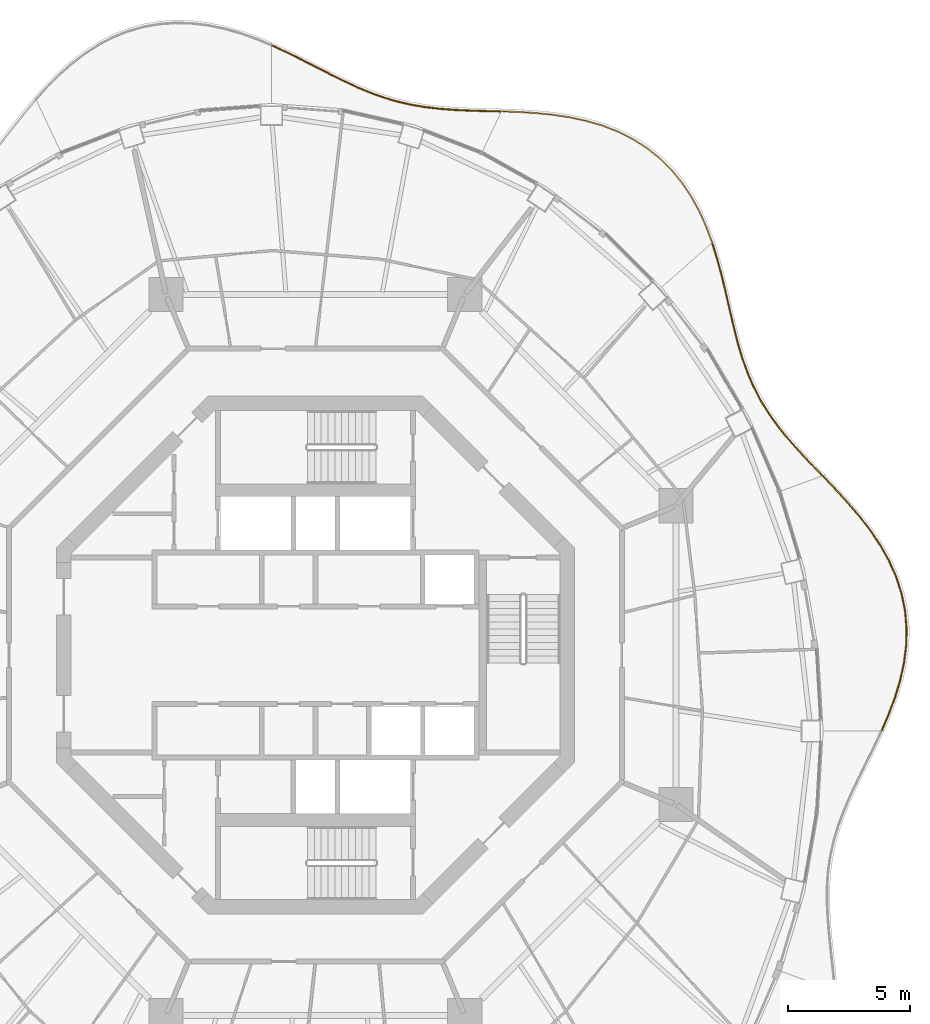
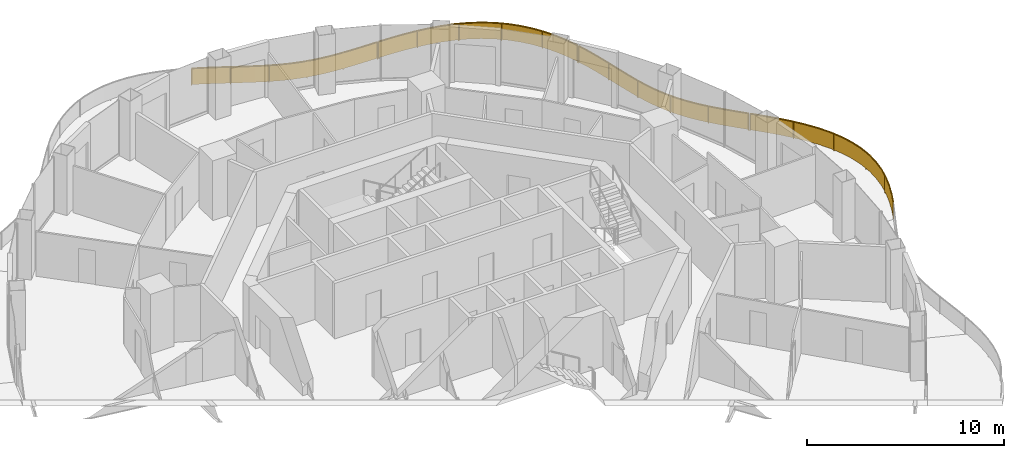
# One storey, part 17 of 17: 4 railings.
"""IFC4 building model written with IfcOpenShell, lengths in metres."""

from ifc_helpers import new_model, si_unit, direction, frame, origin, origin_2d, place, context, subcontext, project, spatial, polyline, rectangle, outline, extrude, material, type_object, element, save


model = new_model("IFC4")

# Units and contexts
model_context = context("Model", 3, precision=1e-05, world=origin(), true_north=direction((0.0, 1.0)))
body_context = subcontext(model_context, "Body", "Model", "MODEL_VIEW")
ifc_project = project(units=[si_unit("LENGTHUNIT", "METRE"), si_unit("AREAUNIT", "SQUARE_METRE"), si_unit("VOLUMEUNIT", "CUBIC_METRE"), si_unit("PLANEANGLEUNIT", "RADIAN"), si_unit("MASSUNIT", "GRAM", prefix="KILO")], contexts=[model_context])

# Site, building, storey
site_placement = place(None, origin())
site = spatial("IfcSite", under=ifc_project, at=site_placement, CompositionType="ELEMENT")
building_placement = place(site_placement, origin())
building = spatial("IfcBuilding", under=site, at=building_placement, Name="Nagisa Residences", CompositionType="ELEMENT")
storey_placement = place(building_placement, frame((0.0, 0.0, 280.699951171875)))
storey = spatial("IfcBuildingStorey", under=building, at=storey_placement, Name="L71", CompositionType="ELEMENT", Elevation=280.699951171875)

# Railings
ifc_material = material(Name="Stainless steel 316", Category="steel")
railing_type = type_object("IfcRailingType", Name="BALCONY GUARD 1100", PredefinedType="BALUSTRADE", material=ifc_material)
railing_1_placement = place(storey_placement, frame((23.22265625, -3.082763671875, 0.0)))
element("IfcRailing", 1, at=railing_1_placement, inside=storey, type_object=railing_type, Name="guard:L71:bal00-0", PredefinedType="BALUSTRADE", context=body_context, shape_type="SweptSolid", body=[
    extrude(outline(polyline([(0.2578125, 0.65576171875), (-0.02294921875, 0.010009765625), (0.02294921875, -0.010009765625), (0.30419921875, 0.63720703125), (0.566650390625, 1.3388671875), (0.78173828125, 2.05029296875), (0.9384765625, 2.7685546875), (1.02734375, 3.489501953125), (1.0439453125, 4.194091796875), (0.98046875, 4.90625), (0.83740234375, 5.6064453125), (0.617431640625, 6.290771484375), (0.32470703125, 6.95556640625), (-0.030029296875, 7.58447265625), (-0.443359375, 8.203125), (-0.900634765625, 8.798095703125), (-1.3896484375, 9.370361328125), (-1.89697265625, 9.92236328125), (-2.380126953125, 10.424560546875), (-2.416259765625, 10.389892578125), (-1.93359375, 9.88818359375), (-1.42724609375, 9.337158203125), (-0.939697265625, 8.766357421875), (-0.48388671875, 8.173828125), (-0.072509765625, 7.55810546875), (0.27978515625, 6.93310546875), (0.570556640625, 6.273193359375), (0.7890625, 5.59375), (0.9306640625, 4.89892578125), (0.99365234375, 4.192626953125), (0.9775390625, 3.492919921875), (0.88916015625, 2.77685546875), (0.7333984375, 2.06298828125), (0.519287109375, 1.35498046875), (0.2578125, 0.65576171875)])), frame((0.0, 0.0, 1.050048828125)), (0.0, 0.0, 1.0), 0.050048828125),
    extrude(outline(polyline([(0.2744140625, 0.649169921875), (-0.00634765625, 0.002685546875), (0.00634765625, -0.002685546875), (0.28759765625, 0.643798828125), (0.549560546875, 1.3447265625), (0.764404296875, 2.054931640625), (0.920654296875, 2.771484375), (1.009521484375, 3.49072265625), (1.02587890625, 4.193603515625), (0.96240234375, 4.903564453125), (0.820068359375, 5.601806640625), (0.6005859375, 6.284423828125), (0.30859375, 6.947509765625), (-0.04541015625, 7.574951171875), (-0.4580078125, 8.192626953125), (-0.914794921875, 8.78662109375), (-1.4033203125, 9.3583984375), (-1.91015625, 9.91015625), (-2.39306640625, 10.412109375), (-2.4033203125, 10.40234375), (-1.92041015625, 9.900390625), (-1.41357421875, 9.34912109375), (-0.925537109375, 8.77783203125), (-0.46923828125, 8.184326171875), (-0.05712890625, 7.567626953125), (0.2958984375, 6.941162109375), (0.58740234375, 6.279541015625), (0.806396484375, 5.598388671875), (0.94873046875, 4.901611328125), (1.01171875, 4.193115234375), (0.995361328125, 3.49169921875), (0.906982421875, 2.77392578125), (0.750732421875, 2.058349609375), (0.536376953125, 1.34912109375), (0.2744140625, 0.649169921875)])), frame((0.0, 0.0, 0.06005859375)), (0.0, 0.0, 1.0), 0.989990234375),
    extrude(rectangle(XDim=0.0400390625, YDim=0.0400390625, at=origin_2d()), origin(), (0.0, 0.0, 1.0), 1.050048828125),
    extrude(rectangle(XDim=0.0400390625, YDim=0.0400390625, at=origin_2d()), frame((0.785400390625, 2.1845703125, 0.0)), (0.0, 0.0, 1.0), 1.050048828125),
    extrude(rectangle(XDim=0.0400390625, YDim=0.0400390625, at=origin_2d()), frame((0.992431640625, 4.489013671875, 0.0)), (0.0, 0.0, 1.0), 1.050048828125),
    extrude(rectangle(XDim=0.0400390625, YDim=0.0400390625, at=origin_2d()), frame((0.39990234375, 6.722900390625, 0.0)), (0.0, 0.0, 1.0), 1.050048828125),
    extrude(rectangle(XDim=0.0400390625, YDim=0.0400390625, at=origin_2d()), frame((-0.84228515625, 8.680908203125, 0.0)), (0.0, 0.0, 1.0), 1.050048828125),
    extrude(rectangle(XDim=0.0400390625, YDim=0.0400390625, at=origin_2d()), frame((-2.398193359375, 10.4072265625, 0.0)), (0.0, 0.0, 1.0), 1.050048828125),
])
railing_2_placement = place(storey_placement, frame((20.7705078125, 7.3779296875, 0.0)))
element("IfcRailing", 2, at=railing_2_placement, inside=storey, type_object=railing_type, Name="guard:L71:bal01-0", PredefinedType="BALUSTRADE", context=body_context, shape_type="SweptSolid", body=[
    extrude(outline(polyline([(-0.47802734375, 0.457275390625), (-0.01806640625, -0.017333984375), (0.01806640625, 0.017333984375), (-0.44189453125, 0.491943359375), (-0.91357421875, 0.993896484375), (-1.359130859375, 1.49560546875), (-1.771240234375, 2.0029296875), (-2.144775390625, 2.52099609375), (-2.470458984375, 3.042236328125), (-2.76220703125, 3.596923828125), (-3.014892578125, 4.17529296875), (-3.233154296875, 4.779296875), (-3.42333984375, 5.409423828125), (-3.5849609375, 6.052001953125), (-3.744873046875, 6.729248046875), (-3.904052734375, 7.423583984375), (-4.0732421875, 8.129150390625), (-4.2626953125, 8.838134765625), (-4.466552734375, 9.49853515625), (-4.514404296875, 9.48388671875), (-4.31103515625, 8.824462890625), (-4.12158203125, 8.116943359375), (-3.952880859375, 7.412353515625), (-3.793701171875, 6.718017578125), (-3.6337890625, 6.040283203125), (-3.4716796875, 5.396240234375), (-3.280517578125, 4.763671875), (-3.061279296875, 4.15673828125), (-2.80712890625, 3.575439453125), (-2.513916015625, 3.017333984375), (-2.186279296875, 2.4931640625), (-1.810791015625, 1.97265625), (-1.397216796875, 1.46337890625), (-0.95068359375, 0.960205078125), (-0.47802734375, 0.457275390625)])), frame((0.0, 0.0, 1.050048828125)), (0.0, 0.0, 1.0), 0.050048828125),
    extrude(outline(polyline([(-0.465087890625, 0.4697265625), (-0.005126953125, -0.0048828125), (0.005126953125, 0.0048828125), (-0.454833984375, 0.4794921875), (-0.927001953125, 0.981689453125), (-1.372802734375, 1.484130859375), (-1.785400390625, 1.991943359375), (-2.15966796875, 2.510986328125), (-2.486083984375, 3.033203125), (-2.7783203125, 3.589111328125), (-3.031494140625, 4.168701171875), (-3.250244140625, 4.773681640625), (-3.440673828125, 5.40478515625), (-3.6025390625, 6.0478515625), (-3.762451171875, 6.72509765625), (-3.921630859375, 7.419677734375), (-4.090576171875, 8.124755859375), (-4.280029296875, 8.833251953125), (-4.48388671875, 9.4931640625), (-4.4970703125, 9.4892578125), (-4.293701171875, 8.829345703125), (-4.104248046875, 8.121337890625), (-3.935302734375, 7.416259765625), (-3.776123046875, 6.72216796875), (-3.6162109375, 6.04443359375), (-3.454345703125, 5.40087890625), (-3.263427734375, 4.769287109375), (-3.044677734375, 4.163330078125), (-2.791015625, 3.583251953125), (-2.498291015625, 3.0263671875), (-2.17138671875, 2.503173828125), (-1.796630859375, 1.983642578125), (-1.383544921875, 1.474853515625), (-0.937255859375, 0.972412109375), (-0.465087890625, 0.4697265625)])), frame((0.0, 0.0, 0.06005859375)), (0.0, 0.0, 1.0), 0.989990234375),
    extrude(rectangle(XDim=0.0400390625, YDim=0.0400390625, at=origin_2d()), origin(), (0.0, 0.0, 1.0), 1.050048828125),
    extrude(rectangle(XDim=0.0400390625, YDim=0.0400390625, at=origin_2d()), frame((-1.454833984375, 1.57373046875, 0.0)), (0.0, 0.0, 1.0), 1.050048828125),
    extrude(rectangle(XDim=0.0400390625, YDim=0.0400390625, at=origin_2d()), frame((-2.65673828125, 3.343017578125, 0.0)), (0.0, 0.0, 1.0), 1.050048828125),
    extrude(rectangle(XDim=0.0400390625, YDim=0.0400390625, at=origin_2d()), frame((-3.42822265625, 5.338623046875, 0.0)), (0.0, 0.0, 1.0), 1.050048828125),
    extrude(rectangle(XDim=0.0400390625, YDim=0.0400390625, at=origin_2d()), frame((-3.9296875, 7.4228515625, 0.0)), (0.0, 0.0, 1.0), 1.050048828125),
    extrude(rectangle(XDim=0.0400390625, YDim=0.0400390625, at=origin_2d()), frame((-4.490478515625, 9.4912109375, 0.0)), (0.0, 0.0, 1.0), 1.050048828125),
])
railing_3_placement = place(storey_placement, frame((16.25634765625, 16.942626953125, 0.0)))
element("IfcRailing", 3, at=railing_3_placement, inside=storey, type_object=railing_type, Name="guard:L71:bal02-0", PredefinedType="BALUSTRADE", context=body_context, shape_type="SweptSolid", body=[
    extrude(outline(polyline([(-0.249755859375, 0.605224609375), (-0.0234375, -0.008544921875), (0.0234375, 0.008544921875), (-0.203369140625, 0.624267578125), (-0.489990234375, 1.26171875), (-0.822998046875, 1.8701171875), (-1.205322265625, 2.441650390625), (-1.637939453125, 2.9697265625), (-2.10888671875, 3.437744140625), (-2.6396484375, 3.8623046875), (-3.215087890625, 4.230224609375), (-3.829345703125, 4.54052734375), (-4.476806640625, 4.793701171875), (-5.13818359375, 4.98486328125), (-5.828125, 5.133544921875), (-6.53076171875, 5.23974609375), (-7.238037109375, 5.31005859375), (-7.942138671875, 5.353515625), (-8.5927734375, 5.375244140625), (-8.59423828125, 5.325439453125), (-7.944580078125, 5.3037109375), (-7.241943359375, 5.26025390625), (-6.537109375, 5.18994140625), (-5.8369140625, 5.084228515625), (-5.150390625, 4.9365234375), (-4.492919921875, 4.746337890625), (-3.849853515625, 4.49462890625), (-3.239990234375, 4.186767578125), (-2.6689453125, 3.82177734375), (-2.14208984375, 3.400146484375), (-1.675048828125, 2.93603515625), (-1.245361328125, 2.411865234375), (-0.865966796875, 1.84423828125), (-0.534912109375, 1.2392578125), (-0.249755859375, 0.605224609375)])), frame((0.0, 0.0, 1.050048828125)), (0.0, 0.0, 1.0), 0.050048828125),
    extrude(outline(polyline([(-0.233154296875, 0.612060546875), (-0.006591796875, -0.00244140625), (0.006591796875, 0.00244140625), (-0.219970703125, 0.617431640625), (-0.506103515625, 1.253662109375), (-0.83837890625, 1.86083984375), (-1.2197265625, 2.430908203125), (-1.6513671875, 2.95751953125), (-2.120849609375, 3.424072265625), (-2.650146484375, 3.84765625), (-3.22412109375, 4.214599609375), (-3.836669921875, 4.52392578125), (-4.482666015625, 4.776611328125), (-5.142578125, 4.967529296875), (-5.831298828125, 5.11572265625), (-6.532958984375, 5.2216796875), (-7.239501953125, 5.292236328125), (-7.943115234375, 5.335693359375), (-8.59326171875, 5.357421875), (-8.59375, 5.34326171875), (-7.943603515625, 5.321533203125), (-7.240478515625, 5.278076171875), (-6.534912109375, 5.2080078125), (-5.833740234375, 5.10205078125), (-5.14599609375, 4.953857421875), (-4.487060546875, 4.763427734375), (-3.842529296875, 4.51123046875), (-3.23095703125, 4.202392578125), (-2.658447265625, 3.83642578125), (-2.130126953125, 3.413818359375), (-1.66162109375, 2.9482421875), (-1.23095703125, 2.422607421875), (-0.8505859375, 1.853515625), (-0.518798828125, 1.247314453125), (-0.233154296875, 0.612060546875)])), frame((0.0, 0.0, 0.06005859375)), (0.0, 0.0, 1.0), 0.989990234375),
    extrude(rectangle(XDim=0.0400390625, YDim=0.0400390625, at=origin_2d()), origin(), (0.0, 0.0, 1.0), 1.050048828125),
    extrude(rectangle(XDim=0.0400390625, YDim=0.0400390625, at=origin_2d()), frame((-0.927978515625, 1.982177734375, 0.0)), (0.0, 0.0, 1.0), 1.050048828125),
    extrude(rectangle(XDim=0.0400390625, YDim=0.0400390625, at=origin_2d()), frame((-2.373779296875, 3.61767578125, 0.0)), (0.0, 0.0, 1.0), 1.050048828125),
    extrude(rectangle(XDim=0.0400390625, YDim=0.0400390625, at=origin_2d()), frame((-4.2763671875, 4.6884765625, 0.0)), (0.0, 0.0, 1.0), 1.050048828125),
    extrude(rectangle(XDim=0.0400390625, YDim=0.0400390625, at=origin_2d()), frame((-6.406005859375, 5.195556640625, 0.0)), (0.0, 0.0, 1.0), 1.050048828125),
    extrude(rectangle(XDim=0.0400390625, YDim=0.0400390625, at=origin_2d()), frame((-8.593505859375, 5.350341796875, 0.0)), (0.0, 0.0, 1.0), 1.050048828125),
])
railing_4_placement = place(storey_placement, frame((7.5869140625, 22.29345703125, 0.0)))
element("IfcRailing", 4, at=railing_4_placement, inside=storey, type_object=railing_type, Name="guard:L71:bal03-0", PredefinedType="BALUSTRADE", context=body_context, shape_type="SweptSolid", body=[
    extrude(outline(polyline([(-0.613525390625, -0.0107421875), (-0.00048828125, -0.02490234375), (0.00048828125, 0.02490234375), (-0.612060546875, 0.0390625), (-1.255859375, 0.05810546875), (-1.88330078125, 0.087158203125), (-2.4931640625, 0.13330078125), (-3.0869140625, 0.203369140625), (-3.648681640625, 0.297119140625), (-4.215576171875, 0.427734375), (-4.774169921875, 0.592529296875), (-5.328125, 0.79150390625), (-5.882080078125, 1.021728515625), (-6.42236328125, 1.277099609375), (-6.988525390625, 1.5576171875), (-7.565673828125, 1.8525390625), (-8.15673828125, 2.154296875), (-8.76318359375, 2.452880859375), (-9.341796875, 2.7216796875), (-9.36279296875, 2.67626953125), (-8.78466796875, 2.407958984375), (-8.17919921875, 2.109375), (-7.588623046875, 1.80810546875), (-7.010986328125, 1.5126953125), (-6.4443359375, 1.232177734375), (-5.902587890625, 0.975830078125), (-5.34619140625, 0.74462890625), (-4.789794921875, 0.545166015625), (-4.228271484375, 0.37939453125), (-3.658447265625, 0.247802734375), (-3.09375, 0.153564453125), (-2.498046875, 0.08349609375), (-1.88623046875, 0.037353515625), (-1.2578125, 0.00830078125), (-0.613525390625, -0.0107421875)])), frame((0.0, 0.0, 1.050048828125)), (0.0, 0.0, 1.0), 0.050048828125),
    extrude(outline(polyline([(-0.613037109375, 0.007080078125), (-0.000244140625, -0.007080078125), (0.000244140625, 0.007080078125), (-0.612548828125, 0.021240234375), (-1.256591796875, 0.040283203125), (-1.88427734375, 0.0693359375), (-2.494873046875, 0.115478515625), (-3.08935546875, 0.185302734375), (-3.652099609375, 0.279296875), (-4.22021484375, 0.410400390625), (-4.77978515625, 0.575439453125), (-5.334716796875, 0.774658203125), (-5.889404296875, 1.005126953125), (-6.430419921875, 1.260986328125), (-6.99658203125, 1.54150390625), (-7.573974609375, 1.836669921875), (-8.164794921875, 2.13818359375), (-8.77099609375, 2.436767578125), (-9.349365234375, 2.705322265625), (-9.355224609375, 2.692626953125), (-8.77685546875, 2.424072265625), (-8.171142578125, 2.12548828125), (-7.580322265625, 1.823974609375), (-7.0029296875, 1.52880859375), (-6.436279296875, 1.248291015625), (-5.895263671875, 0.992431640625), (-5.339599609375, 0.761474609375), (-4.7841796875, 0.562255859375), (-4.2236328125, 0.396728515625), (-3.655029296875, 0.265625), (-3.09130859375, 0.171630859375), (-2.496337890625, 0.101318359375), (-1.88525390625, 0.05517578125), (-1.257080078125, 0.026123046875), (-0.613037109375, 0.007080078125)])), frame((0.0, 0.0, 0.06005859375)), (0.0, 0.0, 1.0), 0.989990234375),
    extrude(rectangle(XDim=0.0400390625, YDim=0.0400390625, at=origin_2d()), origin(), (0.0, 0.0, 1.0), 1.050048828125),
    extrude(rectangle(XDim=0.0400390625, YDim=0.0400390625, at=origin_2d()), frame((-1.97509765625, 0.069091796875, 0.0)), (0.0, 0.0, 1.0), 1.050048828125),
    extrude(rectangle(XDim=0.0400390625, YDim=0.0400390625, at=origin_2d()), frame((-3.930908203125, 0.33642578125, 0.0)), (0.0, 0.0, 1.0), 1.050048828125),
    extrude(rectangle(XDim=0.0400390625, YDim=0.0400390625, at=origin_2d()), frame((-5.802490234375, 0.96142578125, 0.0)), (0.0, 0.0, 1.0), 1.050048828125),
    extrude(rectangle(XDim=0.0400390625, YDim=0.0400390625, at=origin_2d()), frame((-7.5771484375, 1.830322265625, 0.0)), (0.0, 0.0, 1.0), 1.050048828125),
    extrude(rectangle(XDim=0.0400390625, YDim=0.0400390625, at=origin_2d()), frame((-9.352294921875, 2.698974609375, 0.0)), (0.0, 0.0, 1.0), 1.050048828125),
])

save(model, "model.ifc")
